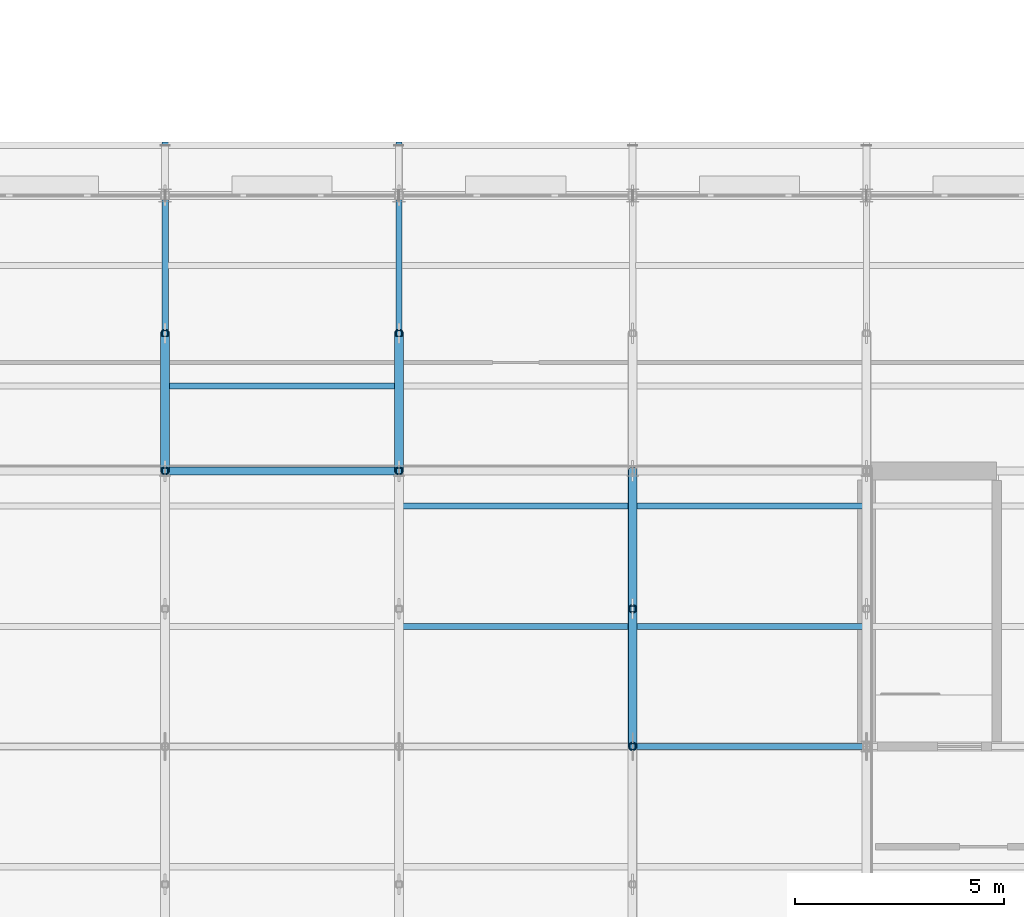
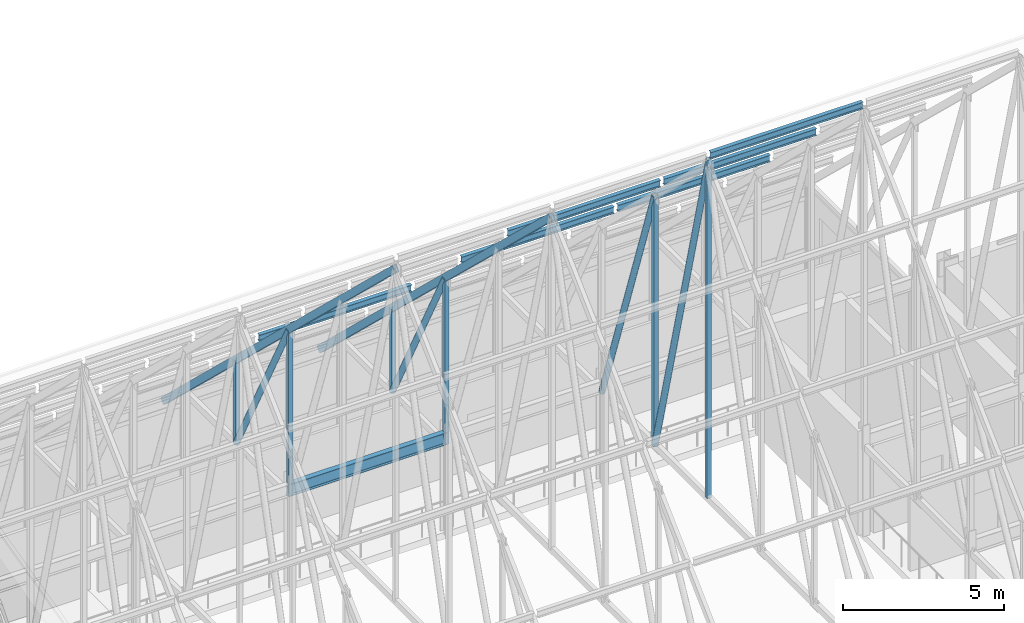
# One storey, part 50 of 144: 18 members, 1 beam.
"""IFC4 building model written with IfcOpenShell, lengths in metres."""

from ifc_helpers import new_model, si_unit, direction, frame, origin, origin_2d, place, context, subcontext, project, spatial, hollow_rectangle, hollow_circle, i_section, extrude, material, material_profile, profile_set, type_object, element, save


model = new_model("IFC4")

# Units and contexts
model_context = context("Model", 3, precision=1e-05, world=origin(), true_north=direction((0.0, 1.0)))
body_context = subcontext(model_context, "Body", "Model", "MODEL_VIEW")
ifc_project = project(units=[si_unit("LENGTHUNIT", "METRE"), si_unit("AREAUNIT", "SQUARE_METRE"), si_unit("VOLUMEUNIT", "CUBIC_METRE"), si_unit("PLANEANGLEUNIT", "RADIAN"), si_unit("MASSUNIT", "GRAM", prefix="KILO")], contexts=[model_context])

# Site, building, storey
site_placement = place(None, origin())
site = spatial("IfcSite", under=ifc_project, at=site_placement, CompositionType="ELEMENT")
building_placement = place(site_placement, origin())
building = spatial("IfcBuilding", under=site, at=building_placement, Name="Trelmorton Wharf Fire Station", CompositionType="ELEMENT")
storey_placement = place(building_placement, frame((0.0, 0.0, 5.39990234375)))
storey = spatial("IfcBuildingStorey", under=building, at=storey_placement, Name="L01", CompositionType="ELEMENT", Elevation=5.39990234375)

# Members
ifc_material_1 = material(Name="Steel Grade 300 (300 MPa)", Category="steel")
ifc_material_profile_1 = material_profile(ifc_material_1, i_section(OverallWidth=0.14599609375, OverallDepth=0.256103515625, WebThickness=0.00634765625, FlangeThickness=0.010986328125, FilletRadius=0.0087890625, at=origin_2d()), Name="250UB37.3")
ifc_profile_set_1 = profile_set([ifc_material_profile_1], Name="Steel Grade 300 (300 MPa)")
member_type_1 = type_object("IfcMemberType", Name="PR_250UB37", PredefinedType="PURLIN", material=ifc_profile_set_1)
for number, where, z_axis, x_axis, name in (
    (1, (34.471923828125, 29.639892578125, 8.064453125), (1.0, 0.0, 0.0), (0.0, 1.0, 0.0), "V1-PR-B07-N3"),
    (2, (40.072021484375, 23.8798828125, 13.5625), (1.0, 0.0, 0.0), (0.0, 1.0, 0.0), "V1-PR-B08-N1"),
    (3, (40.072021484375, 26.760009765625, 10.8134765625), (1.0, 0.0, 0.0), (0.0, 1.0, 0.0), "V1-PR-B08-N2"),
):
    element("IfcMember", number, at=place(storey_placement, frame(where, z_axis=z_axis, x_axis=x_axis)), inside=storey, type_object=member_type_1, Name=name, PredefinedType="PURLIN", context=body_context, shape_type="SweptSolid", body=[
        extrude(i_section(OverallWidth=0.14599609375, OverallDepth=0.256103515625, WebThickness=0.00634765625, FlangeThickness=0.010986328125, FilletRadius=0.0087890625, at=origin_2d()), origin(), (0.0, 0.0, 1.0), 5.4560546875),
    ])
for number, where, z_axis, x_axis, name in (
    (4, (45.672119140625, 21.0, 16.311767578125), (1.0, 0.0, 0.0), (0.0, 1.0, 0.0), "V1-PR-B09-S5"),
    (5, (45.672119140625, 23.8798828125, 13.5625), (1.0, 0.0, 0.0), (0.0, 1.0, 0.0), "V1-PR-B09-N1"),
    (6, (45.672119140625, 26.760009765625, 10.8134765625), (1.0, 0.0, 0.0), (0.0, 1.0, 0.0), "V1-PR-B09-N2"),
):
    element("IfcMember", number, at=place(storey_placement, frame(where, z_axis=z_axis, x_axis=x_axis)), inside=storey, type_object=member_type_1, Name=name, PredefinedType="PURLIN", context=body_context, shape_type="SweptSolid", body=[
        extrude(i_section(OverallWidth=0.14599609375, OverallDepth=0.256103515625, WebThickness=0.00634765625, FlangeThickness=0.010986328125, FilletRadius=0.0087890625, at=origin_2d()), origin(), (0.0, 0.0, 1.0), 5.455810546875),
    ])

# Beam
ifc_material_2 = material(Name="Steel Grade 350", Category="steel")
ifc_material_profile_2 = material_profile(ifc_material_2, i_section(OverallWidth=0.18994140625, OverallDepth=0.45703125, WebThickness=0.009033203125, FlangeThickness=0.014404296875, FilletRadius=0.011474609375, at=origin_2d()), Name="460UB74.6")
ifc_profile_set_2 = profile_set([ifc_material_profile_2], Name="Steel Grade 350")
beam_type = type_object("IfcBeamType", Name="SP_460UB75", PredefinedType="SPANDREL", material=ifc_profile_set_2)
beam_placement = place(storey_placement, frame((34.404052734375, 27.60009765625, 3.591552734375), z_axis=(1.0, 0.0, 0.0), x_axis=(0.0, 1.0, 0.0)))
element("IfcBeam", 7, at=beam_placement, inside=storey, type_object=beam_type, Name="BM-L01-0458", PredefinedType="SPANDREL", context=body_context, shape_type="SweptSolid", body=[
    extrude(i_section(OverallWidth=0.18994140625, OverallDepth=0.45703125, WebThickness=0.009033203125, FlangeThickness=0.014404296875, FilletRadius=0.011474609375, at=origin_2d()), origin(), (0.0, 0.0, 1.0), 5.592041015625),
])

# Members
ifc_material_3 = material(Name="Steel C350L0 (350 MPa)", Category="steel")
ifc_material_profile_3 = material_profile(ifc_material_3, hollow_circle(Radius=0.109619140625, WallThickness=0.00830078125, at=origin_2d()), Name="219.1x8.2CHS")
ifc_profile_set_3 = profile_set([ifc_material_profile_3], Name="Steel C350L0 (350 MPa)")
member_type_2 = type_object("IfcMemberType", Name="TR_DIAG_219CHS", PredefinedType="STRUT", material=ifc_profile_set_3)
for number, where, z_axis, x_axis, name in (
    (8, (34.39990234375, 30.89990234375, 3.351806640625), (0.0, -0.463982622554, 0.8858443012), (1.0, 0.0, 0.0), "V1-TR07-DG-N1"),
    (9, (40.0, 30.89990234375, 3.351806640625), (0.0, -0.463982622554, 0.8858443012), (1.0, 0.0, 0.0), "V1-TR08-DG-N1"),
):
    element("IfcMember", number, at=place(storey_placement, frame(where, z_axis=z_axis, x_axis=x_axis)), inside=storey, type_object=member_type_2, Name=name, PredefinedType="STRUT", context=body_context, shape_type="SweptSolid", body=[
        extrude(hollow_circle(Radius=0.109619140625, WallThickness=0.00830078125, at=origin_2d()), origin(), (0.0, 0.0, 1.0), 7.11181640625),
    ])
member_1_placement = place(storey_placement, frame((45.60009765625, 27.60009765625, 3.351806640625), z_axis=(0.0, -0.329681107508, 0.944092351072), x_axis=(1.0, 0.0, 0.0)))
element("IfcMember", 10, at=member_1_placement, inside=storey, type_object=member_type_2, Name="V1-TR09-DG-N2", PredefinedType="STRUT", context=body_context, shape_type="SweptSolid", body=[
    extrude(hollow_circle(Radius=0.109619140625, WallThickness=0.00830078125, at=origin_2d()), origin(), (0.0, 0.0, 1.0), 10.009765625),
])
member_2_placement = place(storey_placement, frame((45.60009765625, 24.300048828125, 3.351806640625), z_axis=(0.0, -0.25336106238, 0.967371785856), x_axis=(1.0, 0.0, 0.0)))
element("IfcMember", 11, at=member_2_placement, inside=storey, type_object=member_type_2, Name="V1-TR09-DG-N3", PredefinedType="STRUT", context=body_context, shape_type="SweptSolid", body=[
    extrude(hollow_circle(Radius=0.109619140625, WallThickness=0.00830078125, at=origin_2d()), origin(), (0.0, 0.0, 1.0), 13.025146484375),
])
ifc_material_profile_4 = material_profile(ifc_material_3, hollow_rectangle(XDim=0.14990234375, YDim=0.14990234375, WallThickness=0.009033203125, at=origin_2d()), Name="150x150x9.0SHS")
ifc_profile_set_4 = profile_set([ifc_material_profile_4], Name="Steel C350L0 (350 MPa)")
member_type_3 = type_object("IfcMemberType", Name="TR_POST_150SHS", PredefinedType="POST", material=ifc_profile_set_4)
member_3_placement = place(storey_placement, frame((34.39990234375, 30.89990234375, 3.351806640625), z_axis=(0.0, 0.0, 1.0), x_axis=(1.0, 0.0, 0.0)))
element("IfcMember", 12, at=member_3_placement, inside=storey, type_object=member_type_3, Name="V1-TR07-VP-N1", PredefinedType="POST", context=body_context, shape_type="SweptSolid", body=[
    extrude(hollow_rectangle(XDim=0.14990234375, YDim=0.14990234375, WallThickness=0.009033203125, at=origin_2d()), origin(), (0.0, 0.0, 1.0), 3.150146484375),
])
member_4_placement = place(storey_placement, frame((34.39990234375, 27.60009765625, 3.351806640625), z_axis=(0.0, 0.0, 1.0), x_axis=(1.0, 0.0, 0.0)))
element("IfcMember", 13, at=member_4_placement, inside=storey, type_object=member_type_3, Name="V1-TR07-VP-N2", PredefinedType="POST", context=body_context, shape_type="SweptSolid", body=[
    extrude(hollow_rectangle(XDim=0.14990234375, YDim=0.14990234375, WallThickness=0.009033203125, at=origin_2d()), origin(), (0.0, 0.0, 1.0), 6.300048828125),
])
member_5_placement = place(storey_placement, frame((40.0, 30.89990234375, 3.351806640625), z_axis=(0.0, 0.0, 1.0), x_axis=(1.0, 0.0, 0.0)))
element("IfcMember", 14, at=member_5_placement, inside=storey, type_object=member_type_3, Name="V1-TR08-VP-N1", PredefinedType="POST", context=body_context, shape_type="SweptSolid", body=[
    extrude(hollow_rectangle(XDim=0.14990234375, YDim=0.14990234375, WallThickness=0.009033203125, at=origin_2d()), origin(), (0.0, 0.0, 1.0), 3.150146484375),
])
member_6_placement = place(storey_placement, frame((40.0, 27.60009765625, 3.351806640625), z_axis=(0.0, 0.0, 1.0), x_axis=(1.0, 0.0, 0.0)))
element("IfcMember", 15, at=member_6_placement, inside=storey, type_object=member_type_3, Name="V1-TR08-VP-N2", PredefinedType="POST", context=body_context, shape_type="SweptSolid", body=[
    extrude(hollow_rectangle(XDim=0.14990234375, YDim=0.14990234375, WallThickness=0.009033203125, at=origin_2d()), origin(), (0.0, 0.0, 1.0), 6.300048828125),
])
member_7_placement = place(storey_placement, frame((45.60009765625, 21.0, 3.351806640625), z_axis=(0.0, 0.0, 1.0), x_axis=(1.0, 0.0, 0.0)))
element("IfcMember", 16, at=member_7_placement, inside=storey, type_object=member_type_3, Name="V1-TR09-KP", PredefinedType="POST", context=body_context, shape_type="SweptSolid", body=[
    extrude(hollow_rectangle(XDim=0.14990234375, YDim=0.14990234375, WallThickness=0.009033203125, at=origin_2d()), origin(), (0.0, 0.0, 1.0), 12.8359375),
])
member_8_placement = place(storey_placement, frame((45.60009765625, 24.300048828125, 3.351806640625), z_axis=(0.0, 0.0, 1.0), x_axis=(1.0, 0.0, 0.0)))
element("IfcMember", 17, at=member_8_placement, inside=storey, type_object=member_type_3, Name="V1-TR09-VP-N3", PredefinedType="POST", context=body_context, shape_type="SweptSolid", body=[
    extrude(hollow_rectangle(XDim=0.14990234375, YDim=0.14990234375, WallThickness=0.009033203125, at=origin_2d()), origin(), (0.0, 0.0, 1.0), 9.4501953125),
])
ifc_material_profile_5 = material_profile(ifc_material_3, hollow_rectangle(XDim=0.14990234375, YDim=0.25, WallThickness=0.009033203125, at=origin_2d()), Name="250x150x9.0RHS")
ifc_profile_set_5 = profile_set([ifc_material_profile_5], Name="Steel C350L0 (350 MPa)")
member_type_4 = type_object("IfcMemberType", Name="TR_RAFT_250RHS", PredefinedType="RAFTER", material=ifc_profile_set_5)
for number, where, z_axis, x_axis, name in (
    (18, (34.39990234375, 21.0, 15.951904296875), (0.0, 0.723349418794, -0.690482163659), (-1.0, 0.0, 0.0), "V1-TR07-RFN"),
    (19, (40.0, 21.0, 15.951904296875), (0.0, 0.723349418794, -0.690482163659), (-1.0, 0.0, 0.0), "V1-TR08-RFN"),
):
    element("IfcMember", number, at=place(storey_placement, frame(where, z_axis=z_axis, x_axis=x_axis)), inside=storey, type_object=member_type_4, Name=name, PredefinedType="RAFTER", context=body_context, shape_type="SweptSolid", body=[
        extrude(hollow_rectangle(XDim=0.14990234375, YDim=0.25, WallThickness=0.009033203125, at=origin_2d()), origin(), (0.0, 0.0, 1.0), 19.9072265625),
    ])

save(model, "model.ifc")
